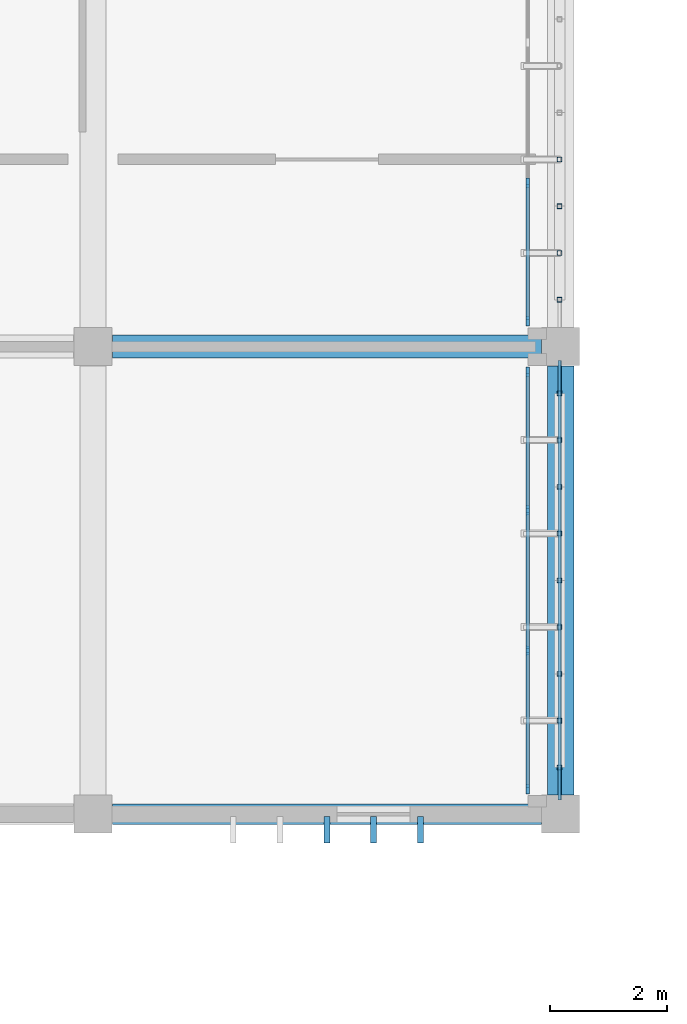
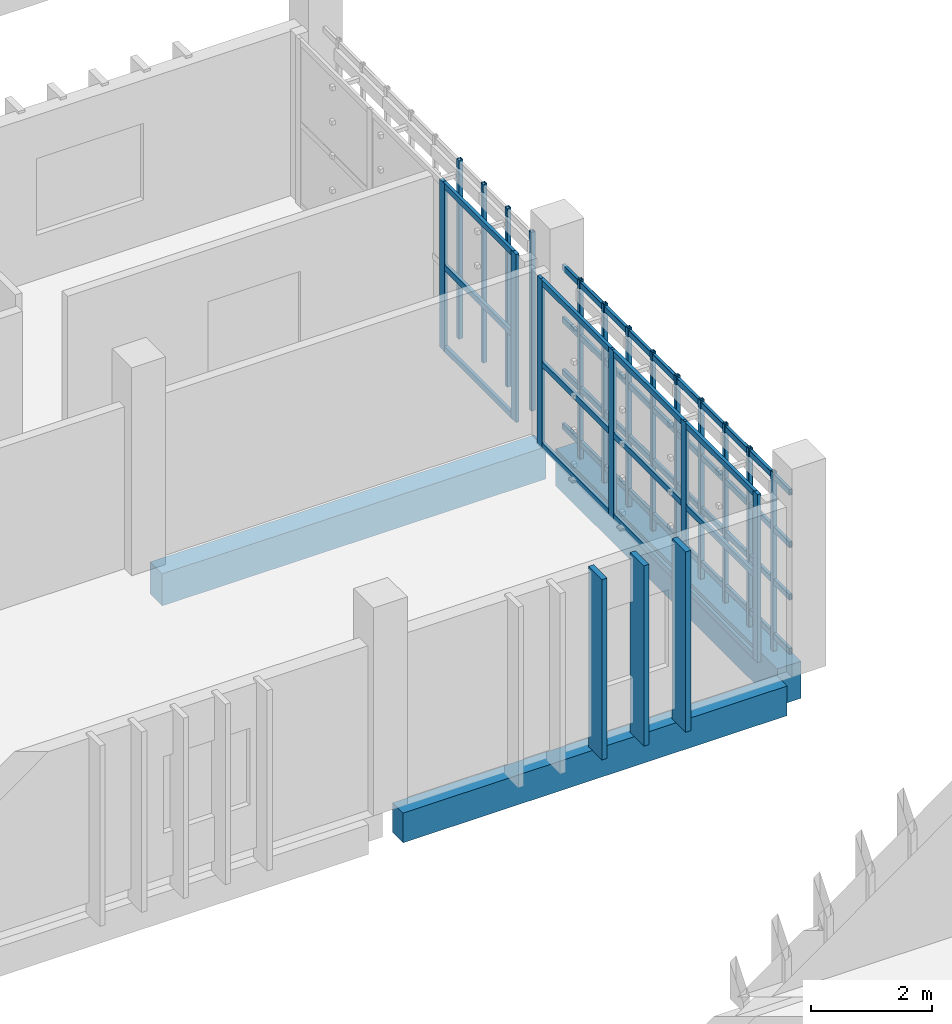
# One storey, part 29 of 137: 38 members, 3 beams, 2 elements without a shape of their own.
"""IFC4 building model written with IfcOpenShell, lengths in metres."""

from ifc_helpers import new_model, si_unit, direction, frame, origin, origin_2d, place, context, subcontext, project, spatial, rectangle, hollow_rectangle, extrude, material, layer, layer_set, material_profile, profile_set, type_object, element, aggregate, save


model = new_model("IFC4")

# Units and contexts
model_context = context("Model", 3, precision=1e-05, world=origin(), true_north=direction((0.0, 1.0)))
body_context = subcontext(model_context, "Body", "Model", "MODEL_VIEW")
ifc_project = project(units=[si_unit("LENGTHUNIT", "METRE"), si_unit("AREAUNIT", "SQUARE_METRE"), si_unit("VOLUMEUNIT", "CUBIC_METRE"), si_unit("PLANEANGLEUNIT", "RADIAN"), si_unit("MASSUNIT", "GRAM", prefix="KILO")], contexts=[model_context])

# Site, building, storey
site_placement = place(None, origin())
site = spatial("IfcSite", under=ifc_project, at=site_placement, CompositionType="ELEMENT")
building_placement = place(site_placement, origin())
building = spatial("IfcBuilding", under=site, at=building_placement, Name="Jelvoka-Kovrelna Polytechnic", CompositionType="ELEMENT")
storey_placement = place(building_placement, frame((0.0, 0.0, 9.60009765625)))
storey = spatial("IfcBuildingStorey", under=building, at=storey_placement, Name="L03", CompositionType="ELEMENT", Elevation=9.60009765625)

# Beams
ifc_material_1 = material(Name="Concrete C40/50", Category="concrete")
ifc_material_profile_1 = material_profile(ifc_material_1, rectangle(XDim=0.39990234375, YDim=0.64990234375, at=origin_2d()), Name="RC 400x650")
ifc_profile_set_1 = profile_set([ifc_material_profile_1], Name="Concrete C40/50")
beam_type_1 = type_object("IfcBeamType", Name="Beam_RC_400x650", PredefinedType="BEAM", material=ifc_profile_set_1)
beam_1_placement = place(storey_placement, frame((104.330078125, 40.0, -0.590087890625), z_axis=(1.0, 0.0, 0.0), x_axis=(0.0, 1.0, 0.0)))
element("IfcBeam", 1, at=beam_1_placement, inside=storey, type_object=beam_type_1, Name="L03 beam 0939", PredefinedType="BEAM", context=body_context, shape_type="SweptSolid", body=[
    extrude(rectangle(XDim=0.39990234375, YDim=0.64990234375, at=origin_2d()), origin(), (0.0, 0.0, 1.0), 7.33984375),
])
ifc_material_2 = material(Name="Concrete C40/50", Category="concrete")
ifc_material_profile_2 = material_profile(ifc_material_2, rectangle(XDim=0.449951171875, YDim=0.75, at=origin_2d()), Name="RC 450x750")
ifc_profile_set_2 = profile_set([ifc_material_profile_2], Name="Concrete C40/50")
beam_type_2 = type_object("IfcBeamType", Name="Beam_RC_450x750", PredefinedType="BEAM", material=ifc_profile_set_2)
beam_2_placement = place(storey_placement, frame((112.0, 32.330078125, -0.64013671875), z_axis=(0.0, 1.0, 0.0), x_axis=(-1.0, 0.0, 0.0)))
element("IfcBeam", 2, at=beam_2_placement, inside=storey, type_object=beam_type_2, Name="L03 beam 0961", PredefinedType="BEAM", context=body_context, shape_type="SweptSolid", body=[
    extrude(rectangle(XDim=0.449951171875, YDim=0.75, at=origin_2d()), origin(), (0.0, 0.0, 1.0), 7.33984375),
])

# Members
ifc_material_3 = material(Name="Precast concrete C40/50", Category="concrete")
ifc_material_profile_3 = material_profile(ifc_material_3, rectangle(XDim=0.10009765625, YDim=0.449951171875, at=origin_2d()), Name="PC 100x450")
ifc_profile_set_3 = profile_set([ifc_material_profile_3], Name="Precast concrete C40/50")
member_type_1 = type_object("IfcMemberType", Name="Louvre_Fin_100x450", PredefinedType="USERDEFINED", material=ifc_profile_set_3)
for number, where, z_axis, x_axis, name in (
    (3, (108.0, 31.735107421875, -0.27001953125), (0.0, 0.0, 1.0), (1.0, 0.0, 0.0), "L03 B2W south vertical solar louvre fin 0693"),
    (4, (108.800048828125, 31.735107421875, -0.27001953125), (0.0, 0.0, 1.0), (1.0, 0.0, 0.0), "L03 B2W south vertical solar louvre fin 0694"),
    (5, (109.60009765625, 31.735107421875, -0.27001953125), (0.0, 0.0, 1.0), (1.0, 0.0, 0.0), "L03 B2W south vertical solar louvre fin 0695"),
):
    element("IfcMember", number, at=place(storey_placement, frame(where, z_axis=z_axis, x_axis=x_axis)), inside=storey, type_object=member_type_1, Name=name, ObjectType="SUNSHADE", PredefinedType="USERDEFINED", context=body_context, shape_type="SweptSolid", body=[
        extrude(rectangle(XDim=0.10009765625, YDim=0.449951171875, at=origin_2d()), origin(), (0.0, 0.0, 1.0), 3.64501953125),
    ])
ifc_material_4 = material(Name="Structural steel S355J2H", Category="steel")
ifc_material_profile_4 = material_profile(ifc_material_4, hollow_rectangle(XDim=0.06005859375, YDim=0.1201171875, WallThickness=0.0048828125, InnerFilletRadius=0.0048828125, OuterFilletRadius=0.007568359375, at=origin_2d()), Name="120x60x5.0 RHS")
ifc_profile_set_4 = profile_set([ifc_material_profile_4], Name="Structural steel S355J2H")
member_type_2 = type_object("IfcMemberType", Name="Member_Strut_RHS120", PredefinedType="STRUT", material=ifc_profile_set_4)
for number, where, z_axis, x_axis, name in (
    (6, (111.97998046875, 32.239990234375, 0.079833984375), (0.0, 1.0, 0.0), (-1.0, 0.0, 0.0), "L03 terracotta screen horizontal strut 0157"),
    (7, (111.97998046875, 32.239990234375, 1.17138671875), (0.0, 1.0, 0.0), (-1.0, 0.0, 0.0), "L03 terracotta screen horizontal strut 0158"),
    (8, (111.97998046875, 32.239990234375, 2.230712890625), (0.0, 1.0, 0.0), (-1.0, 0.0, 0.0), "L03 terracotta screen horizontal strut 0159"),
    (9, (111.97998046875, 32.239990234375, 3.289794921875), (0.0, 1.0, 0.0), (-1.0, 0.0, 0.0), "L03 terracotta screen horizontal strut 0160"),
):
    element("IfcMember", number, at=place(storey_placement, frame(where, z_axis=z_axis, x_axis=x_axis)), inside=storey, type_object=member_type_2, Name=name, PredefinedType="STRUT", context=body_context, shape_type="SweptSolid", body=[
        extrude(hollow_rectangle(XDim=0.06005859375, YDim=0.1201171875, WallThickness=0.0048828125, InnerFilletRadius=0.0048828125, OuterFilletRadius=0.007568359375, at=origin_2d()), origin(), (0.0, 0.0, 1.0), 7.52001953125),
    ])
ifc_material_5 = material(Name="Structural steel S355J2H", Category="steel")
ifc_material_profile_5 = material_profile(ifc_material_5, hollow_rectangle(XDim=0.080078125, YDim=0.080078125, WallThickness=0.0048828125, InnerFilletRadius=0.0048828125, OuterFilletRadius=0.007568359375, at=origin_2d()), Name="80x80x5.0 SHS")
ifc_profile_set_5 = profile_set([ifc_material_profile_5], Name="Structural steel S355J2H")
member_type_3 = type_object("IfcMemberType", Name="Member_Strut_SHS80", PredefinedType="STRUT", material=ifc_profile_set_5)
for number, where, z_axis, x_axis, name in (
    (10, (111.97998046875, 32.800048828125, -0.22998046875), (0.0, 0.0, 1.0), (1.0, 0.0, 0.0), "L03 terracotta lattice vertical rib 0161"),
    (11, (111.97998046875, 33.60009765625, -0.22998046875), (0.0, 0.0, 1.0), (1.0, 0.0, 0.0), "L03 terracotta lattice vertical rib 0162"),
    (12, (111.97998046875, 34.39990234375, -0.22998046875), (0.0, 0.0, 1.0), (1.0, 0.0, 0.0), "L03 terracotta lattice vertical rib 0163"),
    (13, (111.97998046875, 35.199951171875, -0.22998046875), (0.0, 0.0, 1.0), (1.0, 0.0, 0.0), "L03 terracotta lattice vertical rib 0164"),
    (14, (111.97998046875, 36.0, -0.22998046875), (0.0, 0.0, 1.0), (1.0, 0.0, 0.0), "L03 terracotta lattice vertical rib 0165"),
    (15, (111.97998046875, 36.800048828125, -0.22998046875), (0.0, 0.0, 1.0), (1.0, 0.0, 0.0), "L03 terracotta lattice vertical rib 0166"),
    (16, (111.97998046875, 37.60009765625, -0.22998046875), (0.0, 0.0, 1.0), (1.0, 0.0, 0.0), "L03 terracotta lattice vertical rib 0167"),
    (17, (111.97998046875, 38.39990234375, -0.22998046875), (0.0, 0.0, 1.0), (1.0, 0.0, 0.0), "L03 terracotta lattice vertical rib 0168"),
    (18, (111.97998046875, 39.199951171875, -0.22998046875), (0.0, 0.0, 1.0), (1.0, 0.0, 0.0), "L03 terracotta lattice vertical rib 0169"),
    (19, (111.97998046875, 40.800048828125, -0.22998046875), (0.0, 0.0, 1.0), (1.0, 0.0, 0.0), "L03 terracotta lattice vertical rib 0174"),
    (20, (111.97998046875, 41.60009765625, -0.22998046875), (0.0, 0.0, 1.0), (1.0, 0.0, 0.0), "L03 terracotta lattice vertical rib 0175"),
    (21, (111.97998046875, 42.39990234375, -0.22998046875), (0.0, 0.0, 1.0), (1.0, 0.0, 0.0), "L03 terracotta lattice vertical rib 0176"),
    (22, (111.97998046875, 43.199951171875, -0.22998046875), (0.0, 0.0, 1.0), (1.0, 0.0, 0.0), "L03 terracotta lattice vertical rib 0177"),
):
    element("IfcMember", number, at=place(storey_placement, frame(where, z_axis=z_axis, x_axis=x_axis)), inside=storey, type_object=member_type_3, Name=name, PredefinedType="STRUT", context=body_context, shape_type="SweptSolid", body=[
        extrude(hollow_rectangle(XDim=0.080078125, YDim=0.080078125, WallThickness=0.0048828125, InnerFilletRadius=0.0048828125, OuterFilletRadius=0.007568359375, at=origin_2d()), origin(), (0.0, 0.0, 1.0), 3.60986328125),
    ])

# Curtain wall, members
ifc_material_6 = material(Name="Anodised aluminium 6063-T6", Category="aluminium")
ifc_layer = layer(ifc_material_6, 0.159912109375)
ifc_layer_set = layer_set([ifc_layer], Name="Anodised aluminium 6063-T6")
curtain_wall_type = type_object("IfcCurtainWallType", Name="CW_Recessed_A", PredefinedType="NOTDEFINED", material=ifc_layer_set)
curtain_wall_1_placement = place(storey_placement, origin())
curtain_wall_1 = element("IfcCurtainWall", 23, at=curtain_wall_1_placement, inside=storey, type_object=curtain_wall_type, Name="L03 glazed curtain wall 025", PredefinedType="NOTDEFINED")
ifc_material_7 = material(Name="Anodised aluminium 6063-T6", Category="aluminium")
ifc_material_profile_6 = material_profile(ifc_material_7, rectangle(XDim=0.06005859375, YDim=0.159912109375, at=origin_2d()), Name="ALU 60x160")
ifc_profile_set_6 = profile_set([ifc_material_profile_6], Name="Anodised aluminium 6063-T6")
member_type_4 = type_object("IfcMemberType", Name="Mullion_M-01", PredefinedType="MULLION", material=ifc_profile_set_6)
member_1_placement = place(storey_placement, frame((111.43994140625, 39.570068359375, -0.02490234375), z_axis=(0.0, 0.0, 1.0), x_axis=(1.0, 0.0, 0.0)))
member_1 = element("IfcMember", 24, at=member_1_placement, type_object=member_type_4, Name="CW-01 mullion 1", PredefinedType="MULLION", context=body_context, shape_type="SweptSolid", body=[
    extrude(rectangle(XDim=0.06005859375, YDim=0.159912109375, at=origin_2d()), origin(), (0.0, 0.0, 1.0), 3.39990234375),
])
member_2_placement = place(storey_placement, frame((111.43994140625, 37.199951171875, -0.02490234375), z_axis=(0.0, 0.0, 1.0), x_axis=(1.0, 0.0, 0.0)))
member_2 = element("IfcMember", 25, at=member_2_placement, type_object=member_type_4, Name="CW-01 mullion 2", PredefinedType="MULLION", context=body_context, shape_type="SweptSolid", body=[
    extrude(rectangle(XDim=0.06005859375, YDim=0.159912109375, at=origin_2d()), origin(), (0.0, 0.0, 1.0), 3.39990234375),
])
member_3_placement = place(storey_placement, frame((111.43994140625, 34.800048828125, -0.02490234375), z_axis=(0.0, 0.0, 1.0), x_axis=(1.0, 0.0, 0.0)))
member_3 = element("IfcMember", 26, at=member_3_placement, type_object=member_type_4, Name="CW-01 mullion 3", PredefinedType="MULLION", context=body_context, shape_type="SweptSolid", body=[
    extrude(rectangle(XDim=0.06005859375, YDim=0.159912109375, at=origin_2d()), origin(), (0.0, 0.0, 1.0), 3.39990234375),
])
member_4_placement = place(storey_placement, frame((111.43994140625, 32.429931640625, -0.02490234375), z_axis=(0.0, 0.0, 1.0), x_axis=(1.0, 0.0, 0.0)))
member_4 = element("IfcMember", 27, at=member_4_placement, type_object=member_type_4, Name="CW-01 mullion 4", PredefinedType="MULLION", context=body_context, shape_type="SweptSolid", body=[
    extrude(rectangle(XDim=0.06005859375, YDim=0.159912109375, at=origin_2d()), origin(), (0.0, 0.0, 1.0), 3.39990234375),
])

curtain_wall_2_placement = place(storey_placement, origin())
curtain_wall_2 = element("IfcCurtainWall", 28, at=curtain_wall_2_placement, inside=storey, type_object=curtain_wall_type, Name="L03 glazed curtain wall 026", PredefinedType="NOTDEFINED")
member_5_placement = place(storey_placement, frame((111.43994140625, 42.800048828125, -0.02490234375), z_axis=(0.0, 0.0, 1.0), x_axis=(1.0, 0.0, 0.0)))
member_5 = element("IfcMember", 29, at=member_5_placement, type_object=member_type_4, Name="CW-01 mullion 3", PredefinedType="MULLION", context=body_context, shape_type="SweptSolid", body=[
    extrude(rectangle(XDim=0.06005859375, YDim=0.159912109375, at=origin_2d()), origin(), (0.0, 0.0, 1.0), 3.39990234375),
])
member_6_placement = place(storey_placement, frame((111.43994140625, 40.429931640625, -0.02490234375), z_axis=(0.0, 0.0, 1.0), x_axis=(1.0, 0.0, 0.0)))
member_6 = element("IfcMember", 30, at=member_6_placement, type_object=member_type_4, Name="CW-01 mullion 4", PredefinedType="MULLION", context=body_context, shape_type="SweptSolid", body=[
    extrude(rectangle(XDim=0.06005859375, YDim=0.159912109375, at=origin_2d()), origin(), (0.0, 0.0, 1.0), 3.39990234375),
])

# Beam
ifc_material_8 = material(Name="Concrete C40/50", Category="concrete")
ifc_material_profile_7 = material_profile(ifc_material_8, rectangle(XDim=0.35009765625, YDim=0.60009765625, at=origin_2d()), Name="RC 350x600")
ifc_profile_set_7 = profile_set([ifc_material_profile_7], Name="Concrete C40/50")
beam_type_3 = type_object("IfcBeamType", Name="Spandrel_RC_350x600", PredefinedType="SPANDREL", material=ifc_profile_set_7)
beam_3_placement = place(storey_placement, frame((104.330078125, 32.0, -0.565185546875), z_axis=(1.0, 0.0, 0.0), x_axis=(0.0, 1.0, 0.0)))
element("IfcBeam", 31, at=beam_3_placement, inside=storey, type_object=beam_type_3, Name="L03 beam 0933", PredefinedType="SPANDREL", context=body_context, shape_type="SweptSolid", body=[
    extrude(rectangle(XDim=0.35009765625, YDim=0.60009765625, at=origin_2d()), origin(), (0.0, 0.0, 1.0), 7.33984375),
])

# Member
ifc_material_9 = material(Name="Anodised aluminium 6063-T6", Category="aluminium")
ifc_material_profile_8 = material_profile(ifc_material_9, rectangle(XDim=0.06005859375, YDim=0.1201171875, at=origin_2d()), Name="ALU 60x120")
ifc_profile_set_8 = profile_set([ifc_material_profile_8], Name="Anodised aluminium 6063-T6")
member_type_5 = type_object("IfcMemberType", Name="Transom_T-01", PredefinedType="USERDEFINED", material=ifc_profile_set_8)
member_7_placement = place(storey_placement, frame((111.43994140625, 39.5400390625, 0.02978515625), z_axis=(0.0, -1.0, 0.0), x_axis=(1.0, 0.0, 0.0)))
member_7 = element("IfcMember", 32, at=member_7_placement, type_object=member_type_5, Name="CW-01 transom 1.1", ObjectType="TRANSOM", PredefinedType="USERDEFINED", context=body_context, shape_type="SweptSolid", body=[
    extrude(rectangle(XDim=0.06005859375, YDim=0.1201171875, at=origin_2d()), origin(), (0.0, 0.0, 1.0), 2.31005859375),
])

member_8_placement = place(storey_placement, frame((111.43994140625, 39.5400390625, 1.6748046875), z_axis=(0.0, -1.0, 0.0), x_axis=(1.0, 0.0, 0.0)))
member_8 = element("IfcMember", 33, at=member_8_placement, type_object=member_type_5, Name="CW-01 transom 1.2", ObjectType="TRANSOM", PredefinedType="USERDEFINED", context=body_context, shape_type="SweptSolid", body=[
    extrude(rectangle(XDim=0.06005859375, YDim=0.1201171875, at=origin_2d()), origin(), (0.0, 0.0, 1.0), 2.31005859375),
])

member_9_placement = place(storey_placement, frame((111.43994140625, 39.5400390625, 3.31982421875), z_axis=(0.0, -1.0, 0.0), x_axis=(1.0, 0.0, 0.0)))
member_9 = element("IfcMember", 34, at=member_9_placement, type_object=member_type_5, Name="CW-01 transom 1.3", ObjectType="TRANSOM", PredefinedType="USERDEFINED", context=body_context, shape_type="SweptSolid", body=[
    extrude(rectangle(XDim=0.06005859375, YDim=0.1201171875, at=origin_2d()), origin(), (0.0, 0.0, 1.0), 2.31005859375),
])

member_10_placement = place(storey_placement, frame((111.43994140625, 37.169921875, 0.02978515625), z_axis=(0.0, -1.0, 0.0), x_axis=(1.0, 0.0, 0.0)))
member_10 = element("IfcMember", 35, at=member_10_placement, type_object=member_type_5, Name="CW-01 transom 2.1", ObjectType="TRANSOM", PredefinedType="USERDEFINED", context=body_context, shape_type="SweptSolid", body=[
    extrude(rectangle(XDim=0.06005859375, YDim=0.1201171875, at=origin_2d()), origin(), (0.0, 0.0, 1.0), 2.33984375),
])

member_11_placement = place(storey_placement, frame((111.43994140625, 37.169921875, 1.6748046875), z_axis=(0.0, -1.0, 0.0), x_axis=(1.0, 0.0, 0.0)))
member_11 = element("IfcMember", 36, at=member_11_placement, type_object=member_type_5, Name="CW-01 transom 2.2", ObjectType="TRANSOM", PredefinedType="USERDEFINED", context=body_context, shape_type="SweptSolid", body=[
    extrude(rectangle(XDim=0.06005859375, YDim=0.1201171875, at=origin_2d()), origin(), (0.0, 0.0, 1.0), 2.33984375),
])

member_12_placement = place(storey_placement, frame((111.43994140625, 37.169921875, 3.31982421875), z_axis=(0.0, -1.0, 0.0), x_axis=(1.0, 0.0, 0.0)))
member_12 = element("IfcMember", 37, at=member_12_placement, type_object=member_type_5, Name="CW-01 transom 2.3", ObjectType="TRANSOM", PredefinedType="USERDEFINED", context=body_context, shape_type="SweptSolid", body=[
    extrude(rectangle(XDim=0.06005859375, YDim=0.1201171875, at=origin_2d()), origin(), (0.0, 0.0, 1.0), 2.33984375),
])

member_13_placement = place(storey_placement, frame((111.43994140625, 34.77001953125, 0.02978515625), z_axis=(0.0, -1.0, 0.0), x_axis=(1.0, 0.0, 0.0)))
member_13 = element("IfcMember", 38, at=member_13_placement, type_object=member_type_5, Name="CW-01 transom 3.1", ObjectType="TRANSOM", PredefinedType="USERDEFINED", context=body_context, shape_type="SweptSolid", body=[
    extrude(rectangle(XDim=0.06005859375, YDim=0.1201171875, at=origin_2d()), origin(), (0.0, 0.0, 1.0), 2.31005859375),
])

member_14_placement = place(storey_placement, frame((111.43994140625, 34.77001953125, 1.6748046875), z_axis=(0.0, -1.0, 0.0), x_axis=(1.0, 0.0, 0.0)))
member_14 = element("IfcMember", 39, at=member_14_placement, type_object=member_type_5, Name="CW-01 transom 3.2", ObjectType="TRANSOM", PredefinedType="USERDEFINED", context=body_context, shape_type="SweptSolid", body=[
    extrude(rectangle(XDim=0.06005859375, YDim=0.1201171875, at=origin_2d()), origin(), (0.0, 0.0, 1.0), 2.31005859375),
])

member_15_placement = place(storey_placement, frame((111.43994140625, 34.77001953125, 3.31982421875), z_axis=(0.0, -1.0, 0.0), x_axis=(1.0, 0.0, 0.0)))
member_15 = element("IfcMember", 40, at=member_15_placement, type_object=member_type_5, Name="CW-01 transom 3.3", ObjectType="TRANSOM", PredefinedType="USERDEFINED", context=body_context, shape_type="SweptSolid", body=[
    extrude(rectangle(XDim=0.06005859375, YDim=0.1201171875, at=origin_2d()), origin(), (0.0, 0.0, 1.0), 2.31005859375),
])

aggregate(curtain_wall_1, [member_1, member_2, member_3, member_4, member_7, member_8, member_9, member_10, member_11, member_12, member_13, member_14, member_15])

member_16_placement = place(storey_placement, frame((111.43994140625, 42.77001953125, 0.02978515625), z_axis=(0.0, -1.0, 0.0), x_axis=(1.0, 0.0, 0.0)))
member_16 = element("IfcMember", 41, at=member_16_placement, type_object=member_type_5, Name="CW-01 transom 3.1", ObjectType="TRANSOM", PredefinedType="USERDEFINED", context=body_context, shape_type="SweptSolid", body=[
    extrude(rectangle(XDim=0.06005859375, YDim=0.1201171875, at=origin_2d()), origin(), (0.0, 0.0, 1.0), 2.31005859375),
])

member_17_placement = place(storey_placement, frame((111.43994140625, 42.77001953125, 1.6748046875), z_axis=(0.0, -1.0, 0.0), x_axis=(1.0, 0.0, 0.0)))
member_17 = element("IfcMember", 42, at=member_17_placement, type_object=member_type_5, Name="CW-01 transom 3.2", ObjectType="TRANSOM", PredefinedType="USERDEFINED", context=body_context, shape_type="SweptSolid", body=[
    extrude(rectangle(XDim=0.06005859375, YDim=0.1201171875, at=origin_2d()), origin(), (0.0, 0.0, 1.0), 2.31005859375),
])

member_18_placement = place(storey_placement, frame((111.43994140625, 42.77001953125, 3.31982421875), z_axis=(0.0, -1.0, 0.0), x_axis=(1.0, 0.0, 0.0)))
member_18 = element("IfcMember", 43, at=member_18_placement, type_object=member_type_5, Name="CW-01 transom 3.3", ObjectType="TRANSOM", PredefinedType="USERDEFINED", context=body_context, shape_type="SweptSolid", body=[
    extrude(rectangle(XDim=0.06005859375, YDim=0.1201171875, at=origin_2d()), origin(), (0.0, 0.0, 1.0), 2.31005859375),
])

aggregate(curtain_wall_2, [member_5, member_6, member_16, member_17, member_18])

save(model, "model.ifc")
